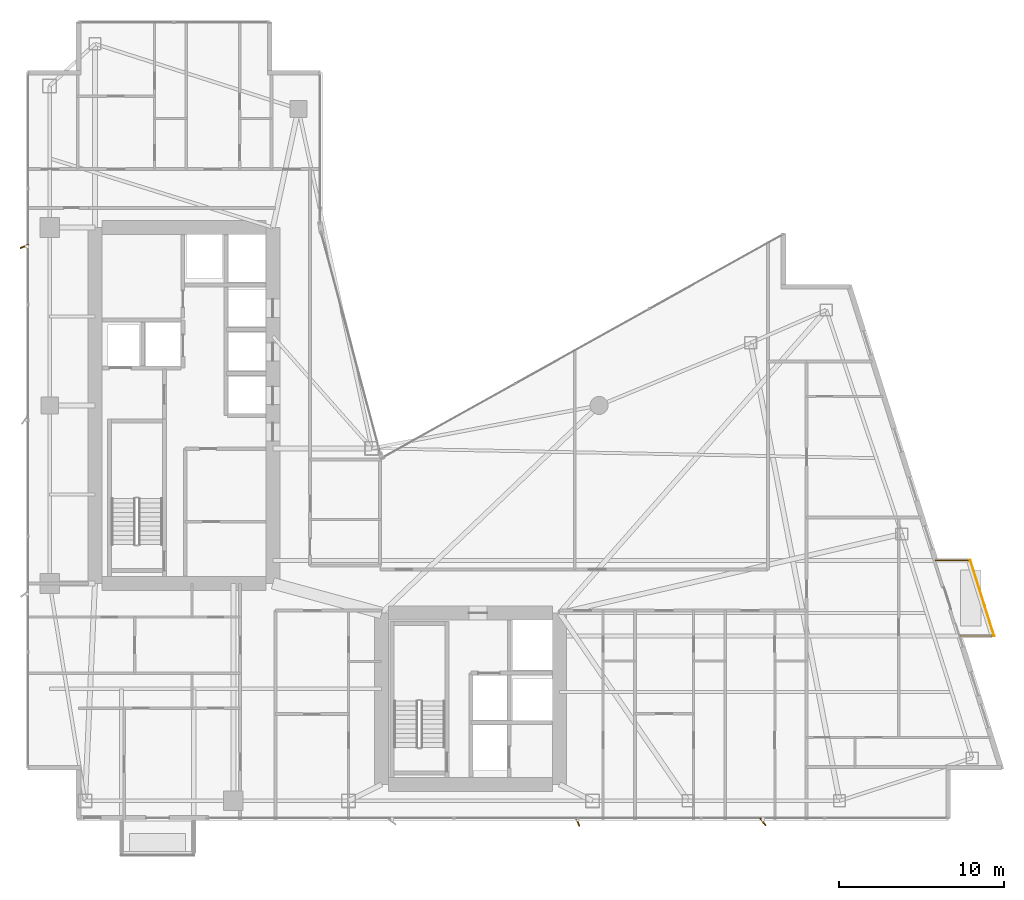
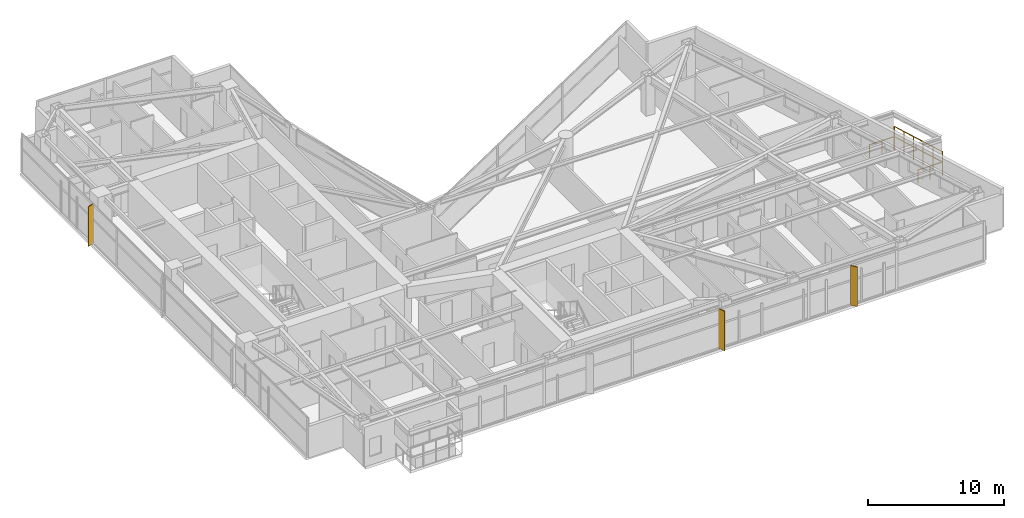
# One storey, part 29 of 29: 3 shading devices, 2 railings.
"""IFC4 building model written with IfcOpenShell, lengths in metres."""

from ifc_helpers import new_model, si_unit, direction, frame, origin, origin_2d, place, context, subcontext, project, spatial, rectangle, circle, extrude, material, type_object, element, save


model = new_model("IFC4")

# Units and contexts
model_context = context("Model", 3, precision=1e-05, world=origin(), true_north=direction((0.0, 1.0)))
body_context = subcontext(model_context, "Body", "Model", "MODEL_VIEW")
ifc_project = project(units=[si_unit("LENGTHUNIT", "METRE"), si_unit("AREAUNIT", "SQUARE_METRE"), si_unit("VOLUMEUNIT", "CUBIC_METRE"), si_unit("PLANEANGLEUNIT", "RADIAN"), si_unit("MASSUNIT", "GRAM", prefix="KILO")], contexts=[model_context])

# Site, building, storey
site_placement = place(None, origin())
site = spatial("IfcSite", under=ifc_project, at=site_placement, CompositionType="ELEMENT")
building_placement = place(site_placement, origin())
building = spatial("IfcBuilding", under=site, at=building_placement, Name="Calvorn Quay Hotel", CompositionType="ELEMENT")
storey_placement = place(building_placement, frame((0.0, 0.0, 105.0)))
storey = spatial("IfcBuildingStorey", under=building, at=storey_placement, Name="L25", CompositionType="ELEMENT", Elevation=105.0)

# Railings
ifc_material_1 = material(Name="Pale Anodised Aluminium and Laminated Glass", Category="aluminium")
railing_type = type_object("IfcRailingType", Name="RLG-BALUSTRADE-1200", PredefinedType="BALUSTRADE", material=ifc_material_1)
railing_1_placement = place(storey_placement, frame((56.68896484375, 13.60009765625, 0.0)))
element("IfcRailing", 1, at=railing_1_placement, inside=storey, type_object=railing_type, Name="Tree Balcony Perimeter Balustrade L25-BALC-E", PredefinedType="BALUSTRADE", context=body_context, shape_type="SweptSolid", body=[
    extrude(circle(Radius=0.02392578125, at=origin_2d()), frame((0.0, 0.0, 1.17578125), z_axis=(1.0, 0.0, 0.0), x_axis=(0.0, 1.0, 0.0)), (0.0, 0.0, 1.0), 2.10009765625),
    extrude(circle(Radius=0.02392578125, at=origin_2d()), frame((2.10009765625, 0.0, 1.17578125), z_axis=(-0.300450487966, 0.953797412599, 0.0), x_axis=(-0.953797412599, -0.300450487966, 0.0)), (0.0, 0.0, 1.0), 4.82275390625),
    extrude(circle(Radius=0.02392578125, at=origin_2d()), frame((0.651123046875, 4.599853515625, 1.17578125), z_axis=(-1.0, 0.0, 0.0), x_axis=(0.0, -1.0, 0.0)), (0.0, 0.0, 1.0), 2.10009765625),
    extrude(circle(Radius=0.02099609375, at=origin_2d()), origin(), (0.0, 0.0, 1.0), 1.15185546875),
    extrude(circle(Radius=0.02099609375, at=origin_2d()), frame((1.050048828125, 0.0, 0.0)), (0.0, 0.0, 1.0), 1.15185546875),
    extrude(circle(Radius=0.02099609375, at=origin_2d()), frame((2.10009765625, 0.0, 0.0)), (0.0, 0.0, 1.0), 1.15185546875),
    extrude(circle(Radius=0.02099609375, at=origin_2d()), frame((1.810302734375, 0.919921875, 0.0)), (0.0, 0.0, 1.0), 1.15185546875),
    extrude(circle(Radius=0.02099609375, at=origin_2d()), frame((1.5205078125, 1.83984375, 0.0)), (0.0, 0.0, 1.0), 1.15185546875),
    extrude(circle(Radius=0.02099609375, at=origin_2d()), frame((1.230712890625, 2.760009765625, 0.0)), (0.0, 0.0, 1.0), 1.15185546875),
    extrude(circle(Radius=0.02099609375, at=origin_2d()), frame((0.94091796875, 3.679931640625, 0.0)), (0.0, 0.0, 1.0), 1.15185546875),
    extrude(circle(Radius=0.02099609375, at=origin_2d()), frame((0.651123046875, 4.599853515625, 0.0)), (0.0, 0.0, 1.0), 1.15185546875),
    extrude(circle(Radius=0.02099609375, at=origin_2d()), frame((-0.39892578125, 4.599853515625, 0.0)), (0.0, 0.0, 1.0), 1.15185546875),
    extrude(circle(Radius=0.02099609375, at=origin_2d()), frame((-1.448974609375, 4.599853515625, 0.0)), (0.0, 0.0, 1.0), 1.15185546875),
])
railing_2_placement = place(storey_placement, frame((58.7890625, 13.60009765625, 0.89990234375)))
element("IfcRailing", 2, at=railing_2_placement, inside=storey, type_object=railing_type, Name="Planter Kerb High Safety Screen L25-BALC-E", PredefinedType="BALUSTRADE", context=body_context, shape_type="SweptSolid", body=[
    extrude(circle(Radius=0.02392578125, at=origin_2d()), frame((0.0, 0.0, 1.19580078125), z_axis=(-0.300450487966, 0.953797412599, 0.0), x_axis=(-0.953797412599, -0.300450487966, 0.0)), (0.0, 0.0, 1.0), 4.82275390625),
    extrude(circle(Radius=0.02099609375, at=origin_2d()), origin(), (0.0, 0.0, 1.0), 1.171875),
    extrude(circle(Radius=0.02099609375, at=origin_2d()), frame((-0.289794921875, 0.919921875, 0.0)), (0.0, 0.0, 1.0), 1.171875),
    extrude(circle(Radius=0.02099609375, at=origin_2d()), frame((-0.57958984375, 1.83984375, 0.0)), (0.0, 0.0, 1.0), 1.171875),
    extrude(circle(Radius=0.02099609375, at=origin_2d()), frame((-0.869384765625, 2.760009765625, 0.0)), (0.0, 0.0, 1.0), 1.171875),
    extrude(circle(Radius=0.02099609375, at=origin_2d()), frame((-1.1591796875, 3.679931640625, 0.0)), (0.0, 0.0, 1.0), 1.171875),
    extrude(circle(Radius=0.02099609375, at=origin_2d()), frame((-1.448974609375, 4.599853515625, 0.0)), (0.0, 0.0, 1.0), 1.171875),
])

# Shading devices
ifc_material_2 = material(Name="Champagne Bronze Anodised Aluminium 6063-T6", Category="aluminium")
shading_device_type_1 = type_object("IfcShadingDeviceType", Name="SHD-FIN-A1", PredefinedType="USERDEFINED", material=ifc_material_2)
for number, where, z_axis, x_axis, name in (
    (3, (-0.080078125, 37.25, 0.0), (0.0, 0.0, 1.0), (0.927183854567, 0.374606593416, 0.0), "Diagonal Sun-Shading Fin L25-W03"),
    (4, (33.5, 2.320068359375, 0.0), (0.0, 0.0, 1.0), (-0.374606593416, 0.927183854567, 0.0), "Diagonal Sun-Shading Fin L25-S02"),
):
    element("IfcShadingDevice", number, at=place(storey_placement, frame(where, z_axis=z_axis, x_axis=x_axis)), inside=storey, type_object=shading_device_type_1, Name=name, ObjectType="FIN", PredefinedType="USERDEFINED", context=body_context, shape_type="SweptSolid", body=[
        extrude(rectangle(XDim=0.550048828125, YDim=0.080078125, at=origin_2d()), origin(), (0.0, 0.0, 1.0), 3.56005859375),
    ])
ifc_material_3 = material(Name="Champagne Bronze Anodised Aluminium 6063-T6", Category="aluminium")
shading_device_type_2 = type_object("IfcShadingDeviceType", Name="SHD-FIN-A2", PredefinedType="USERDEFINED", material=ifc_material_3)
shading_device_placement = place(storey_placement, frame((44.75, 2.320068359375, 0.0), z_axis=(0.0, 0.0, 1.0), x_axis=(-0.615661475326, 0.788010753607, 0.0)))
element("IfcShadingDevice", 5, at=shading_device_placement, inside=storey, type_object=shading_device_type_2, Name="Diagonal Sun-Shading Fin L25-S03", ObjectType="FIN", PredefinedType="USERDEFINED", context=body_context, shape_type="SweptSolid", body=[
    extrude(rectangle(XDim=0.550048828125, YDim=0.080078125, at=origin_2d()), origin(), (0.0, 0.0, 1.0), 3.56005859375),
])

save(model, "model.ifc")
